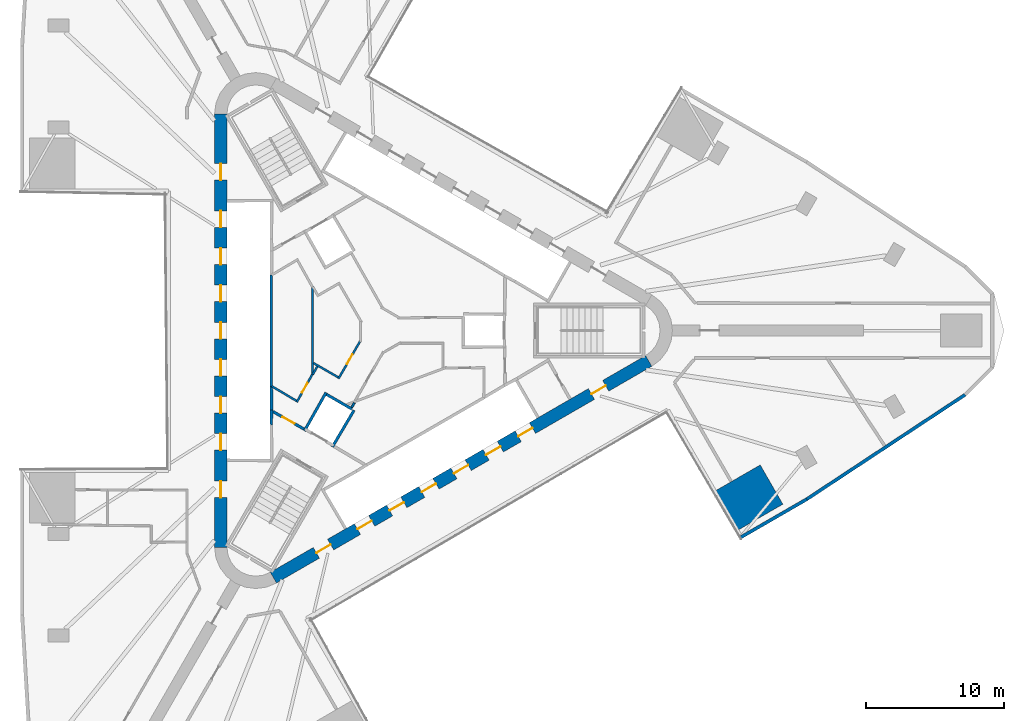
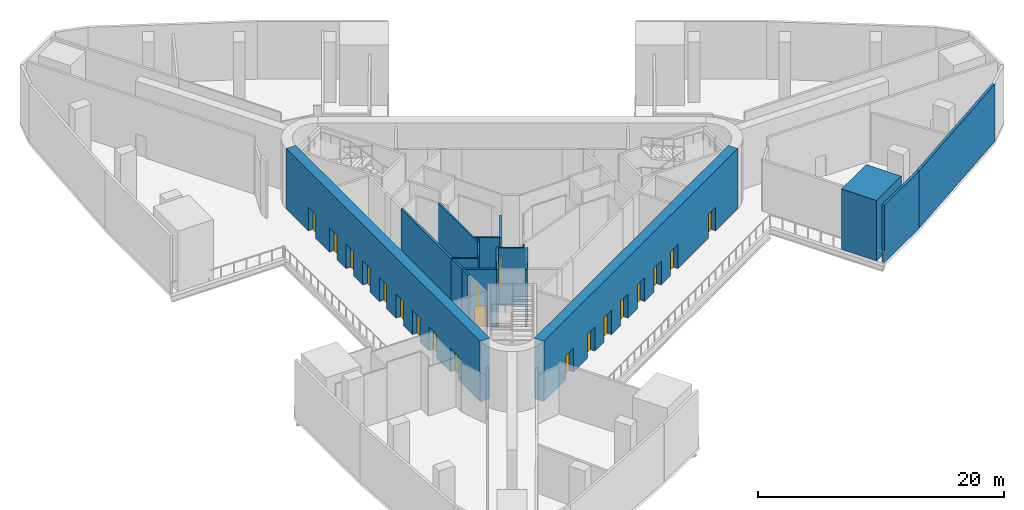
# One storey, part 4 of 11: 20 doors, 19 walls, 20 openings.
"""IFC4 building model written with IfcOpenShell, lengths in metres."""

from ifc_helpers import new_model, si_unit, direction, frame, frame_2d, origin, place, context, subcontext, project, spatial, polyline, rectangle, outline, extrude, material, layer, layer_set, type_object, element, fill, save


model = new_model("IFC4")

# Units and contexts
model_context = context("Model", 3, precision=1e-05, world=origin(), true_north=direction((0.0, 1.0)))
body_context = subcontext(model_context, "Body", "Model", "MODEL_VIEW")
ifc_project = project(units=[si_unit("LENGTHUNIT", "METRE"), si_unit("AREAUNIT", "SQUARE_METRE"), si_unit("VOLUMEUNIT", "CUBIC_METRE"), si_unit("PLANEANGLEUNIT", "RADIAN"), si_unit("MASSUNIT", "GRAM", prefix="KILO")], contexts=[model_context])

# Site, building, storey
site_placement = place(None, origin())
site = spatial("IfcSite", under=ifc_project, at=site_placement, CompositionType="ELEMENT")
building_placement = place(site_placement, origin())
building = spatial("IfcBuilding", under=site, at=building_placement, Name="Tanit Gate Tower", CompositionType="ELEMENT")
storey_placement = place(building_placement, frame((0.0, 0.0, 15.5)))
storey = spatial("IfcBuildingStorey", under=building, at=storey_placement, Name="L02", CompositionType="ELEMENT", Elevation=15.5)

# Wall, openings, doors
ifc_material_1 = material(Name="Concrete C60/75", Category="concrete")
ifc_layer_1 = layer(ifc_material_1, 0.89990234375)
ifc_layer_set_1 = layer_set([ifc_layer_1], Name="CORE WALL 900 C60/75")
wall_type_1 = type_object("IfcWallType", Name="CORE WALL 900 C60/75", PredefinedType="SHEAR", material=ifc_layer_set_1)
wall_1_placement = place(storey_placement, frame((-11.64990234375, 15.76171875, 0.0), z_axis=(0.0, 0.0, 1.0), x_axis=(0.0, -1.0, 0.0)))
wall_1 = element("IfcWall", 1, at=wall_1_placement, inside=storey, type_object=wall_type_1, Name="CORE WALL", PredefinedType="SHEAR", context=body_context, shape_type="SweptSolid", body=[
    extrude(rectangle(XDim=31.5234375, YDim=0.89990234375, at=frame_2d((15.76171875, 0.0))), origin(), (0.0, 0.0, 1.0), 6.0),
])
opening_1_placement = place(wall_1_placement, frame((7.061767578125, 0.0, 0.0)))
opening_1 = element("IfcOpeningElement", 2, at=opening_1_placement, cuts=wall_1, Name="Opening LDLL1-02", PredefinedType="OPENING", context=body_context, shape_type="SweptSolid", body=[
    extrude(rectangle(XDim=1.199951171875, YDim=2.39990234375, at=frame_2d((0.60009765625, 1.199951171875))), frame((0.0, 0.4599609375, 0.0), z_axis=(0.0, -1.0, 0.0), x_axis=(1.0, 0.0, 0.0)), (0.0, 0.0, 1.0), 0.919921875),
])
opening_2_placement = place(wall_1_placement, frame((9.76171875, 0.0, 0.0)))
opening_2 = element("IfcOpeningElement", 3, at=opening_2_placement, cuts=wall_1, Name="Opening LDLL2-02", PredefinedType="OPENING", context=body_context, shape_type="SweptSolid", body=[
    extrude(rectangle(XDim=1.199951171875, YDim=2.39990234375, at=frame_2d((0.60009765625, 1.199951171875))), frame((0.0, 0.4599609375, 0.0), z_axis=(0.0, -1.0, 0.0), x_axis=(1.0, 0.0, 0.0)), (0.0, 0.0, 1.0), 0.919921875),
])
opening_3_placement = place(wall_1_placement, frame((12.461669921875, 0.0, 0.0)))
opening_3 = element("IfcOpeningElement", 4, at=opening_3_placement, cuts=wall_1, Name="Opening LDLL3-02", PredefinedType="OPENING", context=body_context, shape_type="SweptSolid", body=[
    extrude(rectangle(XDim=1.199951171875, YDim=2.39990234375, at=frame_2d((0.60009765625, 1.199951171875))), frame((0.0, 0.4599609375, 0.0), z_axis=(0.0, -1.0, 0.0), x_axis=(1.0, 0.0, 0.0)), (0.0, 0.0, 1.0), 0.919921875),
])
opening_4_placement = place(wall_1_placement, frame((15.16162109375, 0.0, 0.0)))
opening_4 = element("IfcOpeningElement", 5, at=opening_4_placement, cuts=wall_1, Name="Opening LDLL4-02", PredefinedType="OPENING", context=body_context, shape_type="SweptSolid", body=[
    extrude(rectangle(XDim=1.199951171875, YDim=2.39990234375, at=frame_2d((0.60009765625, 1.199951171875))), frame((0.0, 0.4599609375, 0.0), z_axis=(0.0, -1.0, 0.0), x_axis=(1.0, 0.0, 0.0)), (0.0, 0.0, 1.0), 0.919921875),
])
opening_5_placement = place(wall_1_placement, frame((17.86181640625, 0.0, 0.0)))
opening_5 = element("IfcOpeningElement", 6, at=opening_5_placement, cuts=wall_1, Name="Opening LDLL5-02", PredefinedType="OPENING", context=body_context, shape_type="SweptSolid", body=[
    extrude(rectangle(XDim=1.199951171875, YDim=2.39990234375, at=frame_2d((0.60009765625, 1.199951171875))), frame((0.0, 0.4599609375, 0.0), z_axis=(0.0, -1.0, 0.0), x_axis=(1.0, 0.0, 0.0)), (0.0, 0.0, 1.0), 0.919921875),
])
opening_6_placement = place(wall_1_placement, frame((20.561767578125, 0.0, 0.0)))
opening_6 = element("IfcOpeningElement", 7, at=opening_6_placement, cuts=wall_1, Name="Opening LDLL6-02", PredefinedType="OPENING", context=body_context, shape_type="SweptSolid", body=[
    extrude(rectangle(XDim=1.199951171875, YDim=2.39990234375, at=frame_2d((0.60009765625, 1.199951171875))), frame((0.0, 0.4599609375, 0.0), z_axis=(0.0, -1.0, 0.0), x_axis=(1.0, 0.0, 0.0)), (0.0, 0.0, 1.0), 0.919921875),
])
opening_7_placement = place(wall_1_placement, frame((23.26171875, 0.0, 0.0)))
opening_7 = element("IfcOpeningElement", 8, at=opening_7_placement, cuts=wall_1, Name="Opening LDLL7-02", PredefinedType="OPENING", context=body_context, shape_type="SweptSolid", body=[
    extrude(rectangle(XDim=1.199951171875, YDim=2.39990234375, at=frame_2d((0.60009765625, 1.199951171875))), frame((0.0, 0.4599609375, 0.0), z_axis=(0.0, -1.0, 0.0), x_axis=(1.0, 0.0, 0.0)), (0.0, 0.0, 1.0), 0.919921875),
])
opening_8_placement = place(wall_1_placement, frame((3.61181640625, 0.0, 0.0)))
opening_8 = element("IfcOpeningElement", 9, at=opening_8_placement, cuts=wall_1, Name="Opening F12-02-FL2", PredefinedType="OPENING", context=body_context, shape_type="SweptSolid", body=[
    extrude(rectangle(XDim=1.199951171875, YDim=2.39990234375, at=frame_2d((0.60009765625, 1.199951171875))), frame((0.0, 0.4599609375, 0.0), z_axis=(0.0, -1.0, 0.0), x_axis=(1.0, 0.0, 0.0)), (0.0, 0.0, 1.0), 0.919921875),
])
opening_9_placement = place(wall_1_placement, frame((26.711669921875, 0.0, 0.0)))
opening_9 = element("IfcOpeningElement", 10, at=opening_9_placement, cuts=wall_1, Name="Opening F12-02-S3", PredefinedType="OPENING", context=body_context, shape_type="SweptSolid", body=[
    extrude(rectangle(XDim=1.199951171875, YDim=2.39990234375, at=frame_2d((0.60009765625, 1.199951171875))), frame((0.0, 0.4599609375, 0.0), z_axis=(0.0, -1.0, 0.0), x_axis=(1.0, 0.0, 0.0)), (0.0, 0.0, 1.0), 0.919921875),
])
ifc_material_2 = material(Name="Fire-rated steel door leaf", Category="steel")
door_type_1 = type_object("IfcDoorType", Name="INT-DOOR-FIRE-LOBBY-1200", OperationType="NOTDEFINED", PredefinedType="USERDEFINED", material=ifc_material_2)
door_1_placement = place(opening_8_placement, origin())
door_1 = element("IfcDoor", 11, at=door_1_placement, inside=storey, type_object=door_type_1, Name="Door F12-02-FL2", ObjectType="FIRE DOOR", OperationType="SINGLE_SWING_RIGHT", OverallHeight=2.39990234375, OverallWidth=1.199951171875, PredefinedType="USERDEFINED", context=body_context, shape_type="SweptSolid", body=[
    extrude(rectangle(XDim=1.199951171875, YDim=2.39990234375, at=frame_2d((0.60009765625, 1.199951171875))), frame((0.0, 0.02490234375, 0.0), z_axis=(0.0, -1.0, 0.0), x_axis=(1.0, 0.0, 0.0)), (0.0, 0.0, 1.0), 0.050048828125),
])
fill(opening_8, door_1)
door_2_placement = place(opening_9_placement, origin())
door_2 = element("IfcDoor", 12, at=door_2_placement, inside=storey, type_object=door_type_1, Name="Door F12-02-S3", ObjectType="FIRE DOOR", OperationType="SINGLE_SWING_RIGHT", OverallHeight=2.39990234375, OverallWidth=1.199951171875, PredefinedType="USERDEFINED", context=body_context, shape_type="SweptSolid", body=[
    extrude(rectangle(XDim=1.199951171875, YDim=2.39990234375, at=frame_2d((0.60009765625, 1.199951171875))), frame((0.0, 0.02490234375, 0.0), z_axis=(0.0, -1.0, 0.0), x_axis=(1.0, 0.0, 0.0)), (0.0, 0.0, 1.0), 0.050048828125),
])
fill(opening_9, door_2)
ifc_material_3 = material(Name="Stainless steel sliding door leaf", Category="steel")
door_type_2 = type_object("IfcDoorType", Name="INT-DOOR-LANDING-1200", OperationType="NOTDEFINED", PredefinedType="USERDEFINED", material=ifc_material_3)
door_3_placement = place(opening_1_placement, origin())
door_3 = element("IfcDoor", 13, at=door_3_placement, inside=storey, type_object=door_type_2, Name="Door LDLL1-02", ObjectType="LANDING DOOR", OperationType="SLIDING_TO_LEFT", OverallHeight=2.39990234375, OverallWidth=1.199951171875, PredefinedType="USERDEFINED", context=body_context, shape_type="SweptSolid", body=[
    extrude(rectangle(XDim=1.199951171875, YDim=2.39990234375, at=frame_2d((0.60009765625, 1.199951171875))), frame((0.0, 0.02490234375, 0.0), z_axis=(0.0, -1.0, 0.0), x_axis=(1.0, 0.0, 0.0)), (0.0, 0.0, 1.0), 0.050048828125),
])
fill(opening_1, door_3)
door_4_placement = place(opening_2_placement, origin())
door_4 = element("IfcDoor", 14, at=door_4_placement, inside=storey, type_object=door_type_2, Name="Door LDLL2-02", ObjectType="LANDING DOOR", OperationType="SLIDING_TO_LEFT", OverallHeight=2.39990234375, OverallWidth=1.199951171875, PredefinedType="USERDEFINED", context=body_context, shape_type="SweptSolid", body=[
    extrude(rectangle(XDim=1.199951171875, YDim=2.39990234375, at=frame_2d((0.60009765625, 1.199951171875))), frame((0.0, 0.02490234375, 0.0), z_axis=(0.0, -1.0, 0.0), x_axis=(1.0, 0.0, 0.0)), (0.0, 0.0, 1.0), 0.050048828125),
])
fill(opening_2, door_4)
door_5_placement = place(opening_3_placement, origin())
door_5 = element("IfcDoor", 15, at=door_5_placement, inside=storey, type_object=door_type_2, Name="Door LDLL3-02", ObjectType="LANDING DOOR", OperationType="SLIDING_TO_LEFT", OverallHeight=2.39990234375, OverallWidth=1.199951171875, PredefinedType="USERDEFINED", context=body_context, shape_type="SweptSolid", body=[
    extrude(rectangle(XDim=1.199951171875, YDim=2.39990234375, at=frame_2d((0.60009765625, 1.199951171875))), frame((0.0, 0.02490234375, 0.0), z_axis=(0.0, -1.0, 0.0), x_axis=(1.0, 0.0, 0.0)), (0.0, 0.0, 1.0), 0.050048828125),
])
fill(opening_3, door_5)
door_6_placement = place(opening_4_placement, origin())
door_6 = element("IfcDoor", 16, at=door_6_placement, inside=storey, type_object=door_type_2, Name="Door LDLL4-02", ObjectType="LANDING DOOR", OperationType="SLIDING_TO_LEFT", OverallHeight=2.39990234375, OverallWidth=1.199951171875, PredefinedType="USERDEFINED", context=body_context, shape_type="SweptSolid", body=[
    extrude(rectangle(XDim=1.199951171875, YDim=2.39990234375, at=frame_2d((0.60009765625, 1.199951171875))), frame((0.0, 0.02490234375, 0.0), z_axis=(0.0, -1.0, 0.0), x_axis=(1.0, 0.0, 0.0)), (0.0, 0.0, 1.0), 0.050048828125),
])
fill(opening_4, door_6)
door_7_placement = place(opening_5_placement, origin())
door_7 = element("IfcDoor", 17, at=door_7_placement, inside=storey, type_object=door_type_2, Name="Door LDLL5-02", ObjectType="LANDING DOOR", OperationType="SLIDING_TO_LEFT", OverallHeight=2.39990234375, OverallWidth=1.199951171875, PredefinedType="USERDEFINED", context=body_context, shape_type="SweptSolid", body=[
    extrude(rectangle(XDim=1.199951171875, YDim=2.39990234375, at=frame_2d((0.60009765625, 1.199951171875))), frame((0.0, 0.02490234375, 0.0), z_axis=(0.0, -1.0, 0.0), x_axis=(1.0, 0.0, 0.0)), (0.0, 0.0, 1.0), 0.050048828125),
])
fill(opening_5, door_7)
door_8_placement = place(opening_6_placement, origin())
door_8 = element("IfcDoor", 18, at=door_8_placement, inside=storey, type_object=door_type_2, Name="Door LDLL6-02", ObjectType="LANDING DOOR", OperationType="SLIDING_TO_LEFT", OverallHeight=2.39990234375, OverallWidth=1.199951171875, PredefinedType="USERDEFINED", context=body_context, shape_type="SweptSolid", body=[
    extrude(rectangle(XDim=1.199951171875, YDim=2.39990234375, at=frame_2d((0.60009765625, 1.199951171875))), frame((0.0, 0.02490234375, 0.0), z_axis=(0.0, -1.0, 0.0), x_axis=(1.0, 0.0, 0.0)), (0.0, 0.0, 1.0), 0.050048828125),
])
fill(opening_6, door_8)
door_9_placement = place(opening_7_placement, origin())
door_9 = element("IfcDoor", 19, at=door_9_placement, inside=storey, type_object=door_type_2, Name="Door LDLL7-02", ObjectType="LANDING DOOR", OperationType="SLIDING_TO_LEFT", OverallHeight=2.39990234375, OverallWidth=1.199951171875, PredefinedType="USERDEFINED", context=body_context, shape_type="SweptSolid", body=[
    extrude(rectangle(XDim=1.199951171875, YDim=2.39990234375, at=frame_2d((0.60009765625, 1.199951171875))), frame((0.0, 0.02490234375, 0.0), z_axis=(0.0, -1.0, 0.0), x_axis=(1.0, 0.0, 0.0)), (0.0, 0.0, 1.0), 0.050048828125),
])
fill(opening_7, door_9)

wall_2_placement = place(storey_placement, frame((-7.824951171875, -17.969970703125, 0.0), z_axis=(0.0, 0.0, 1.0), x_axis=(0.866028369851, 0.499994862586, 0.0)))
wall_2 = element("IfcWall", 20, at=wall_2_placement, inside=storey, type_object=wall_type_1, Name="CORE WALL", PredefinedType="SHEAR", context=body_context, shape_type="SweptSolid", body=[
    extrude(rectangle(XDim=31.523193359375, YDim=0.89990234375, at=frame_2d((15.76171875, 0.0))), origin(), (0.0, 0.0, 1.0), 6.0),
])
opening_10_placement = place(wall_2_placement, frame((7.061767578125, 0.0, 0.0)))
opening_10 = element("IfcOpeningElement", 21, at=opening_10_placement, cuts=wall_2, Name="Opening LDSX1-02", PredefinedType="OPENING", context=body_context, shape_type="SweptSolid", body=[
    extrude(rectangle(XDim=1.199951171875, YDim=2.39990234375, at=frame_2d((0.60009765625, 1.199951171875))), frame((0.0, 0.4599609375, 0.0), z_axis=(0.0, -1.0, 0.0), x_axis=(1.0, 0.0, 0.0)), (0.0, 0.0, 1.0), 0.919921875),
])
opening_11_placement = place(wall_2_placement, frame((9.76171875, 0.0, 0.0)))
opening_11 = element("IfcOpeningElement", 22, at=opening_11_placement, cuts=wall_2, Name="Opening LDSX2-02", PredefinedType="OPENING", context=body_context, shape_type="SweptSolid", body=[
    extrude(rectangle(XDim=1.199951171875, YDim=2.39990234375, at=frame_2d((0.60009765625, 1.199951171875))), frame((0.0, 0.4599609375, 0.0), z_axis=(0.0, -1.0, 0.0), x_axis=(1.0, 0.0, 0.0)), (0.0, 0.0, 1.0), 0.919921875),
])
opening_12_placement = place(wall_2_placement, frame((12.461669921875, 0.0, 0.0)))
opening_12 = element("IfcOpeningElement", 23, at=opening_12_placement, cuts=wall_2, Name="Opening LDSX3-02", PredefinedType="OPENING", context=body_context, shape_type="SweptSolid", body=[
    extrude(rectangle(XDim=1.199951171875, YDim=2.39990234375, at=frame_2d((0.60009765625, 1.199951171875))), frame((0.0, 0.4599609375, 0.0), z_axis=(0.0, -1.0, 0.0), x_axis=(1.0, 0.0, 0.0)), (0.0, 0.0, 1.0), 0.919921875),
])
opening_13_placement = place(wall_2_placement, frame((15.16162109375, 0.0, 0.0)))
opening_13 = element("IfcOpeningElement", 24, at=opening_13_placement, cuts=wall_2, Name="Opening LDSX4-02", PredefinedType="OPENING", context=body_context, shape_type="SweptSolid", body=[
    extrude(rectangle(XDim=1.199951171875, YDim=2.39990234375, at=frame_2d((0.60009765625, 1.199951171875))), frame((0.0, 0.4599609375, 0.0), z_axis=(0.0, -1.0, 0.0), x_axis=(1.0, 0.0, 0.0)), (0.0, 0.0, 1.0), 0.919921875),
])
opening_14_placement = place(wall_2_placement, frame((17.861572265625, 0.0, 0.0)))
opening_14 = element("IfcOpeningElement", 25, at=opening_14_placement, cuts=wall_2, Name="Opening LDSV1-02", PredefinedType="OPENING", context=body_context, shape_type="SweptSolid", body=[
    extrude(rectangle(XDim=1.199951171875, YDim=2.39990234375, at=frame_2d((0.60009765625, 1.199951171875))), frame((0.0, 0.4599609375, 0.0), z_axis=(0.0, -1.0, 0.0), x_axis=(1.0, 0.0, 0.0)), (0.0, 0.0, 1.0), 0.919921875),
])
opening_15_placement = place(wall_2_placement, frame((20.561767578125, 0.0, 0.0)))
opening_15 = element("IfcOpeningElement", 26, at=opening_15_placement, cuts=wall_2, Name="Opening LDSV2-02", PredefinedType="OPENING", context=body_context, shape_type="SweptSolid", body=[
    extrude(rectangle(XDim=1.199951171875, YDim=2.39990234375, at=frame_2d((0.60009765625, 1.199951171875))), frame((0.0, 0.4599609375, 0.0), z_axis=(0.0, -1.0, 0.0), x_axis=(1.0, 0.0, 0.0)), (0.0, 0.0, 1.0), 0.919921875),
])
opening_16_placement = place(wall_2_placement, frame((26.711669921875, 0.0, 0.0)))
opening_16 = element("IfcOpeningElement", 27, at=opening_16_placement, cuts=wall_2, Name="Opening F12-02-S1", PredefinedType="OPENING", context=body_context, shape_type="SweptSolid", body=[
    extrude(rectangle(XDim=1.199951171875, YDim=2.39990234375, at=frame_2d((0.60009765625, 1.199951171875))), frame((0.0, 0.4599609375, 0.0), z_axis=(0.0, -1.0, 0.0), x_axis=(1.0, 0.0, 0.0)), (0.0, 0.0, 1.0), 0.919921875),
])
opening_17_placement = place(wall_2_placement, frame((3.611572265625, 0.0, 0.0)))
opening_17 = element("IfcOpeningElement", 28, at=opening_17_placement, cuts=wall_2, Name="Opening F12-02-FL3", PredefinedType="OPENING", context=body_context, shape_type="SweptSolid", body=[
    extrude(rectangle(XDim=1.199951171875, YDim=2.39990234375, at=frame_2d((0.60009765625, 1.199951171875))), frame((0.0, 0.4599609375, 0.0), z_axis=(0.0, -1.0, 0.0), x_axis=(1.0, 0.0, 0.0)), (0.0, 0.0, 1.0), 0.919921875),
])
door_10_placement = place(opening_16_placement, origin())
door_10 = element("IfcDoor", 29, at=door_10_placement, inside=storey, type_object=door_type_1, Name="Door F12-02-S1", ObjectType="FIRE DOOR", OperationType="SINGLE_SWING_RIGHT", OverallHeight=2.39990234375, OverallWidth=1.199951171875, PredefinedType="USERDEFINED", context=body_context, shape_type="SweptSolid", body=[
    extrude(rectangle(XDim=1.199951171875, YDim=2.39990234375, at=frame_2d((0.60009765625, 1.199951171875))), frame((0.0, 0.02490234375, 0.0), z_axis=(0.0, -1.0, 0.0), x_axis=(1.0, 0.0, 0.0)), (0.0, 0.0, 1.0), 0.050048828125),
])
fill(opening_16, door_10)
door_11_placement = place(opening_17_placement, origin())
door_11 = element("IfcDoor", 30, at=door_11_placement, inside=storey, type_object=door_type_1, Name="Door F12-02-FL3", ObjectType="FIRE DOOR", OperationType="SINGLE_SWING_LEFT", OverallHeight=2.39990234375, OverallWidth=1.199951171875, PredefinedType="USERDEFINED", context=body_context, shape_type="SweptSolid", body=[
    extrude(rectangle(XDim=1.199951171875, YDim=2.39990234375, at=frame_2d((0.60009765625, 1.199951171875))), frame((0.0, 0.02490234375, 0.0), z_axis=(0.0, -1.0, 0.0), x_axis=(1.0, 0.0, 0.0)), (0.0, 0.0, 1.0), 0.050048828125),
])
fill(opening_17, door_11)
door_12_placement = place(opening_10_placement, origin())
door_12 = element("IfcDoor", 31, at=door_12_placement, inside=storey, type_object=door_type_2, Name="Door LDSX1-02", ObjectType="LANDING DOOR", OperationType="SLIDING_TO_LEFT", OverallHeight=2.39990234375, OverallWidth=1.199951171875, PredefinedType="USERDEFINED", context=body_context, shape_type="SweptSolid", body=[
    extrude(rectangle(XDim=1.199951171875, YDim=2.39990234375, at=frame_2d((0.60009765625, 1.199951171875))), frame((0.0, 0.02490234375, 0.0), z_axis=(0.0, -1.0, 0.0), x_axis=(1.0, 0.0, 0.0)), (0.0, 0.0, 1.0), 0.050048828125),
])
fill(opening_10, door_12)
door_13_placement = place(opening_11_placement, origin())
door_13 = element("IfcDoor", 32, at=door_13_placement, inside=storey, type_object=door_type_2, Name="Door LDSX2-02", ObjectType="LANDING DOOR", OperationType="SLIDING_TO_LEFT", OverallHeight=2.39990234375, OverallWidth=1.199951171875, PredefinedType="USERDEFINED", context=body_context, shape_type="SweptSolid", body=[
    extrude(rectangle(XDim=1.199951171875, YDim=2.39990234375, at=frame_2d((0.60009765625, 1.199951171875))), frame((0.0, 0.02490234375, 0.0), z_axis=(0.0, -1.0, 0.0), x_axis=(1.0, 0.0, 0.0)), (0.0, 0.0, 1.0), 0.050048828125),
])
fill(opening_11, door_13)
door_14_placement = place(opening_12_placement, origin())
door_14 = element("IfcDoor", 33, at=door_14_placement, inside=storey, type_object=door_type_2, Name="Door LDSX3-02", ObjectType="LANDING DOOR", OperationType="SLIDING_TO_LEFT", OverallHeight=2.39990234375, OverallWidth=1.199951171875, PredefinedType="USERDEFINED", context=body_context, shape_type="SweptSolid", body=[
    extrude(rectangle(XDim=1.199951171875, YDim=2.39990234375, at=frame_2d((0.60009765625, 1.199951171875))), frame((0.0, 0.02490234375, 0.0), z_axis=(0.0, -1.0, 0.0), x_axis=(1.0, 0.0, 0.0)), (0.0, 0.0, 1.0), 0.050048828125),
])
fill(opening_12, door_14)
door_15_placement = place(opening_13_placement, origin())
door_15 = element("IfcDoor", 34, at=door_15_placement, inside=storey, type_object=door_type_2, Name="Door LDSX4-02", ObjectType="LANDING DOOR", OperationType="SLIDING_TO_LEFT", OverallHeight=2.39990234375, OverallWidth=1.199951171875, PredefinedType="USERDEFINED", context=body_context, shape_type="SweptSolid", body=[
    extrude(rectangle(XDim=1.199951171875, YDim=2.39990234375, at=frame_2d((0.60009765625, 1.199951171875))), frame((0.0, 0.02490234375, 0.0), z_axis=(0.0, -1.0, 0.0), x_axis=(1.0, 0.0, 0.0)), (0.0, 0.0, 1.0), 0.050048828125),
])
fill(opening_13, door_15)
door_16_placement = place(opening_14_placement, origin())
door_16 = element("IfcDoor", 35, at=door_16_placement, inside=storey, type_object=door_type_2, Name="Door LDSV1-02", ObjectType="LANDING DOOR", OperationType="SLIDING_TO_LEFT", OverallHeight=2.39990234375, OverallWidth=1.199951171875, PredefinedType="USERDEFINED", context=body_context, shape_type="SweptSolid", body=[
    extrude(rectangle(XDim=1.199951171875, YDim=2.39990234375, at=frame_2d((0.60009765625, 1.199951171875))), frame((0.0, 0.02490234375, 0.0), z_axis=(0.0, -1.0, 0.0), x_axis=(1.0, 0.0, 0.0)), (0.0, 0.0, 1.0), 0.050048828125),
])
fill(opening_14, door_16)
door_17_placement = place(opening_15_placement, origin())
door_17 = element("IfcDoor", 36, at=door_17_placement, inside=storey, type_object=door_type_2, Name="Door LDSV2-02", ObjectType="LANDING DOOR", OperationType="SLIDING_TO_LEFT", OverallHeight=2.39990234375, OverallWidth=1.199951171875, PredefinedType="USERDEFINED", context=body_context, shape_type="SweptSolid", body=[
    extrude(rectangle(XDim=1.199951171875, YDim=2.39990234375, at=frame_2d((0.60009765625, 1.199951171875))), frame((0.0, 0.02490234375, 0.0), z_axis=(0.0, -1.0, 0.0), x_axis=(1.0, 0.0, 0.0)), (0.0, 0.0, 1.0), 0.050048828125),
])
fill(opening_15, door_17)

# Walls
ifc_material_4 = material(Name="Concrete C30/37 with bronze anodised aluminium cladding", Category="concrete")
ifc_layer_2 = layer(ifc_material_4, 0.239990234375)
ifc_layer_set_2 = layer_set([ifc_layer_2], Name="Facade wall bronze clad 240")
wall_type_2 = type_object("IfcWallType", Name="Facade wall bronze clad 240", PredefinedType="SOLIDWALL", material=ifc_layer_set_2)
wall_3_placement = place(storey_placement, frame((26.1474609375, -15.0498046875, 0.0), z_axis=(0.0, 0.0, 1.0), x_axis=(0.865999312459, 0.500045188778, 0.0)))
element("IfcWall", 37, at=wall_3_placement, inside=storey, type_object=wall_type_2, Name="Bronze-clad facade wall L02 SE2b", PredefinedType="SOLIDWALL", context=body_context, shape_type="SweptSolid", body=[
    extrude(rectangle(XDim=5.56591796875, YDim=0.239990234375, at=frame_2d((2.782958984375, 0.0))), origin(), (0.0, 0.0, 1.0), 5.699951171875),
])
wall_4_placement = place(storey_placement, frame((30.967529296875, -12.2666015625, 0.0), z_axis=(0.0, 0.0, 1.0), x_axis=(0.834683405501, 0.550730072342, 0.0)))
element("IfcWall", 38, at=wall_4_placement, inside=storey, type_object=wall_type_2, Name="Bronze-clad facade wall L02 SE3", PredefinedType="SOLIDWALL", context=body_context, shape_type="SweptSolid", body=[
    extrude(rectangle(XDim=13.80126953125, YDim=0.239990234375, at=frame_2d((6.900634765625, 0.0))), origin(), (0.0, 0.0, 1.0), 5.699951171875),
])

# Wall, opening, door
ifc_material_5 = material(Name="Fire-rated gypsum board partition")
ifc_layer_3 = layer(ifc_material_5, 0.199951171875)
ifc_layer_set_3 = layer_set([ifc_layer_3], Name="INT-WALL-COMPARTMENT")
wall_type_3 = type_object("IfcWallType", Name="INT-WALL-COMPARTMENT", PredefinedType="PARTITIONING", material=ifc_layer_set_3)
wall_5_placement = place(storey_placement, frame((-7.849365234375, -5.893798828125, 0.0), z_axis=(0.0, 0.0, 1.0), x_axis=(0.871363259478, -0.490638431059, 0.0)))
wall_5 = element("IfcWall", 39, at=wall_5_placement, inside=storey, type_object=wall_type_3, Name="Wall Compartment W067", PredefinedType="PARTITIONING", context=body_context, shape_type="SweptSolid", body=[
    extrude(rectangle(XDim=2.5810546875, YDim=0.199951171875, at=frame_2d((1.29052734375, 0.0))), origin(), (0.0, 0.0, 1.0), 5.699951171875),
])
opening_18_placement = place(wall_5_placement, frame((0.79052734375, 0.0, 0.0)))
opening_18 = element("IfcOpeningElement", 40, at=opening_18_placement, cuts=wall_5, Name="Opening F10-02-08", PredefinedType="OPENING", context=body_context, shape_type="SweptSolid", body=[
    extrude(rectangle(XDim=1.0, YDim=2.10009765625, at=frame_2d((0.5, 1.050048828125))), frame((0.0, 0.10986328125, 0.0), z_axis=(0.0, -1.0, 0.0), x_axis=(1.0, 0.0, 0.0)), (0.0, 0.0, 1.0), 0.219970703125),
])
ifc_material_6 = material(Name="Fire-rated steel door leaf", Category="steel")
door_type_3 = type_object("IfcDoorType", Name="INT-DOOR-FIRE-1000", OperationType="NOTDEFINED", PredefinedType="USERDEFINED", material=ifc_material_6)
door_18_placement = place(opening_18_placement, origin())
door_18 = element("IfcDoor", 41, at=door_18_placement, inside=storey, type_object=door_type_3, Name="Door F10-02-08", ObjectType="FIRE DOOR", OperationType="SINGLE_SWING_LEFT", OverallHeight=2.10009765625, OverallWidth=1.0, PredefinedType="USERDEFINED", context=body_context, shape_type="SweptSolid", body=[
    extrude(rectangle(XDim=1.0, YDim=2.10009765625, at=frame_2d((0.5, 1.050048828125))), frame((0.0, 0.02490234375, 0.0), z_axis=(0.0, -1.0, 0.0), x_axis=(1.0, 0.0, 0.0)), (0.0, 0.0, 1.0), 0.050048828125),
])
fill(opening_18, door_18)

# Walls
ifc_material_7 = material(Name="Fire-rated gypsum board partition")
ifc_layer_4 = layer(ifc_material_7, 0.14990234375)
ifc_layer_set_4 = layer_set([ifc_layer_4], Name="INT-WALL-RISER")
wall_type_4 = type_object("IfcWallType", Name="INT-WALL-RISER", PredefinedType="PLUMBINGWALL", material=ifc_layer_set_4)
wall_6_placement = place(storey_placement, frame((-1.93212890625, -5.255615234375, 0.0), z_axis=(0.0, 0.0, 1.0), x_axis=(-0.499777709171, -0.866153705422, 0.0)))
element("IfcWall", 42, at=wall_6_placement, inside=storey, type_object=wall_type_4, Name="Wall Riser W076", PredefinedType="PLUMBINGWALL", context=body_context, shape_type="SweptSolid", body=[
    extrude(rectangle(XDim=0.382568359375, YDim=0.14990234375, at=frame_2d((0.19140625, 0.0))), origin(), (0.0, 0.0, 1.0), 5.699951171875),
])
wall_7_placement = place(storey_placement, frame((-4.985107421875, -3.234619140625, 0.0), z_axis=(0.0, 0.0, 1.0), x_axis=(0.0, 1.0, 0.0)))
element("IfcWall", 43, at=wall_7_placement, inside=storey, type_object=wall_type_4, Name="Wall Riser W079", PredefinedType="PLUMBINGWALL", context=body_context, shape_type="SweptSolid", body=[
    extrude(rectangle(XDim=6.46923828125, YDim=0.14990234375, at=frame_2d((3.234619140625, 0.0))), origin(), (0.0, 0.0, 1.0), 5.699951171875),
])

# Wall, opening, door
wall_8_placement = place(storey_placement, frame((-6.125, -5.210693359375, 0.0), z_axis=(0.0, 0.0, 1.0), x_axis=(0.488762436737, 0.87241691893, 0.0)))
wall_8 = element("IfcWall", 44, at=wall_8_placement, inside=storey, type_object=wall_type_4, Name="Wall Riser W080", PredefinedType="PLUMBINGWALL", context=body_context, shape_type="SweptSolid", body=[
    extrude(rectangle(XDim=2.336669921875, YDim=0.14990234375, at=frame_2d((1.16845703125, 0.0))), origin(), (0.0, 0.0, 1.0), 5.699951171875),
])
opening_19_placement = place(wall_8_placement, frame((0.805908203125, 0.0, 0.0)))
opening_19 = element("IfcOpeningElement", 45, at=opening_19_placement, cuts=wall_8, Name="Opening R08-02-13", PredefinedType="OPENING", context=body_context, shape_type="SweptSolid", body=[
    extrude(rectangle(XDim=0.800048828125, YDim=2.10009765625, at=frame_2d((0.39990234375, 1.050048828125))), frame((0.0, 0.0849609375, 0.0), z_axis=(0.0, -1.0, 0.0), x_axis=(1.0, 0.0, 0.0)), (0.0, 0.0, 1.0), 0.169921875),
])
ifc_material_8 = material(Name="Timber door leaf", Category="wood")
door_type_4 = type_object("IfcDoorType", Name="INT-DOOR-RISER-800", OperationType="NOTDEFINED", PredefinedType="USERDEFINED", material=ifc_material_8)
door_19_placement = place(opening_19_placement, origin())
door_19 = element("IfcDoor", 46, at=door_19_placement, inside=storey, type_object=door_type_4, Name="Door R08-02-13", ObjectType="FIRE DOOR", OperationType="SINGLE_SWING_LEFT", OverallHeight=2.10009765625, OverallWidth=0.800048828125, PredefinedType="USERDEFINED", context=body_context, shape_type="SweptSolid", body=[
    extrude(rectangle(XDim=0.800048828125, YDim=2.10009765625, at=frame_2d((0.39990234375, 1.050048828125))), frame((0.0, 0.02490234375, 0.0), z_axis=(0.0, -1.0, 0.0), x_axis=(1.0, 0.0, 0.0)), (0.0, 0.0, 1.0), 0.050048828125),
])
fill(opening_19, door_19)

# Wall
wall_9_placement = place(storey_placement, frame((-7.949951171875, -4.041015625, 0.0), z_axis=(0.0, 0.0, 1.0), x_axis=(0.860090281069, -0.510141851263, 0.0)))
element("IfcWall", 47, at=wall_9_placement, inside=storey, type_object=wall_type_4, Name="Wall Riser W081", PredefinedType="PLUMBINGWALL", context=body_context, shape_type="SweptSolid", body=[
    extrude(rectangle(XDim=2.08935546875, YDim=0.14990234375, at=frame_2d((1.044677734375, 0.0))), origin(), (0.0, 0.0, 1.0), 5.699951171875),
])

# Wall, opening, door
wall_10_placement = place(storey_placement, frame((-3.088623046875, -3.49951171875, 0.0), z_axis=(0.0, 0.0, 1.0), x_axis=(0.500025362525, 0.866010760229, 0.0)))
wall_10 = element("IfcWall", 48, at=wall_10_placement, inside=storey, type_object=wall_type_4, Name="Wall Riser W088", PredefinedType="PLUMBINGWALL", context=body_context, shape_type="SweptSolid", body=[
    extrude(rectangle(XDim=3.209228515625, YDim=0.14990234375, at=frame_2d((1.6044921875, 0.0))), origin(), (0.0, 0.0, 1.0), 5.699951171875),
])
opening_20_placement = place(wall_10_placement, frame((1.2421875, 0.0, 0.0)))
opening_20 = element("IfcOpeningElement", 49, at=opening_20_placement, cuts=wall_10, Name="Opening R08-02-14", PredefinedType="OPENING", context=body_context, shape_type="SweptSolid", body=[
    extrude(rectangle(XDim=0.800048828125, YDim=2.10009765625, at=frame_2d((0.39990234375, 1.050048828125))), frame((0.0, 0.0849609375, 0.0), z_axis=(0.0, -1.0, 0.0), x_axis=(1.0, 0.0, 0.0)), (0.0, 0.0, 1.0), 0.169921875),
])
door_20_placement = place(opening_20_placement, origin())
door_20 = element("IfcDoor", 50, at=door_20_placement, inside=storey, type_object=door_type_4, Name="Door R08-02-14", ObjectType="FIRE DOOR", OperationType="SINGLE_SWING_RIGHT", OverallHeight=2.10009765625, OverallWidth=0.800048828125, PredefinedType="USERDEFINED", context=body_context, shape_type="SweptSolid", body=[
    extrude(rectangle(XDim=0.800048828125, YDim=2.10009765625, at=frame_2d((0.39990234375, 1.050048828125))), frame((0.0, 0.02490234375, 0.0), z_axis=(0.0, -1.0, 0.0), x_axis=(1.0, 0.0, 0.0)), (0.0, 0.0, 1.0), 0.050048828125),
])
fill(opening_20, door_20)

# Walls
wall_11_placement = place(storey_placement, frame((-4.91015625, -2.361328125, 0.0), z_axis=(0.0, 0.0, 1.0), x_axis=(0.866022705876, -0.500004672885, 0.0)))
element("IfcWall", 51, at=wall_11_placement, inside=storey, type_object=wall_type_4, Name="Wall Riser W089", PredefinedType="PLUMBINGWALL", context=body_context, shape_type="SweptSolid", body=[
    extrude(rectangle(XDim=2.07177734375, YDim=0.14990234375, at=frame_2d((1.035888671875, 0.0))), origin(), (0.0, 0.0, 1.0), 5.699951171875),
])
wall_12_placement = place(storey_placement, frame((-4.957275390625, -3.1865234375, 0.0), z_axis=(0.0, 0.0, 1.0), x_axis=(0.499860530385, 0.866105911632, 0.0)))
element("IfcWall", 52, at=wall_12_placement, inside=storey, type_object=wall_type_4, Name="Wall Riser W090", PredefinedType="PLUMBINGWALL", context=body_context, shape_type="SweptSolid", body=[
    extrude(rectangle(XDim=0.663330078125, YDim=0.14990234375, at=frame_2d((0.33154296875, 0.0))), origin(), (0.0, 0.0, 1.0), 5.699951171875),
])
ifc_material_9 = material(Name="Gypsum shaft wall system")
ifc_layer_5 = layer(ifc_material_9, 0.199951171875)
ifc_layer_set_5 = layer_set([ifc_layer_5], Name="INT-WALL-SHAFT")
wall_type_5 = type_object("IfcWallType", Name="INT-WALL-SHAFT", PredefinedType="PLUMBINGWALL", material=ifc_layer_set_5)
wall_13_placement = place(storey_placement, frame((-7.97998046875, 4.050048828125, 0.0), z_axis=(0.0, 0.0, 1.0), x_axis=(0.0, -1.0, 0.0)))
element("IfcWall", 53, at=wall_13_placement, inside=storey, type_object=wall_type_5, Name="Wall Shaft W006", PredefinedType="PLUMBINGWALL", context=body_context, shape_type="SweptSolid", body=[
    extrude(rectangle(XDim=8.10009765625, YDim=0.199951171875, at=frame_2d((4.050048828125, 0.0))), origin(), (0.0, 0.0, 1.0), 5.699951171875),
])
wall_14_placement = place(storey_placement, frame((-7.949951171875, -5.7724609375, 0.0), z_axis=(0.0, 0.0, 1.0), x_axis=(-0.030803413295, -0.999525462272, 0.0)))
element("IfcWall", 54, at=wall_14_placement, inside=storey, type_object=wall_type_5, Name="Wall Shaft W009", PredefinedType="PLUMBINGWALL", context=body_context, shape_type="SweptSolid", body=[
    extrude(rectangle(XDim=1.077880859375, YDim=0.199951171875, at=frame_2d((0.5390625, 0.0))), origin(), (0.0, 0.0, 1.0), 5.699951171875),
])
wall_15_placement = place(storey_placement, frame((-7.971435546875, -4.050048828125, 0.0), z_axis=(0.0, 0.0, 1.0), x_axis=(0.012042535896, -0.999927486035, 0.0)))
element("IfcWall", 55, at=wall_15_placement, inside=storey, type_object=wall_type_5, Name="Wall Shaft W010", PredefinedType="PLUMBINGWALL", context=body_context, shape_type="SweptSolid", body=[
    extrude(rectangle(XDim=1.844970703125, YDim=0.199951171875, at=frame_2d((0.92236328125, 0.0))), origin(), (0.0, 0.0, 1.0), 5.699951171875),
])
wall_16_placement = place(storey_placement, frame((-1.960693359375, -5.796142578125, 0.0), z_axis=(0.0, 0.0, 1.0), x_axis=(-0.508647062354, -0.860975125052, 0.0)))
element("IfcWall", 56, at=wall_16_placement, inside=storey, type_object=wall_type_5, Name="Wall Shaft W057", PredefinedType="PLUMBINGWALL", context=body_context, shape_type="SweptSolid", body=[
    extrude(rectangle(XDim=3.10009765625, YDim=0.199951171875, at=frame_2d((1.550048828125, 0.0))), origin(), (0.0, 0.0, 1.0), 5.699951171875),
])
wall_17_placement = place(storey_placement, frame((-3.989990234375, -4.509033203125, 0.0), z_axis=(0.0, 0.0, 1.0), x_axis=(-0.491358283181, -0.870957540612, 0.0)))
element("IfcWall", 57, at=wall_17_placement, inside=storey, type_object=wall_type_5, Name="Wall Shaft W058", PredefinedType="PLUMBINGWALL", context=body_context, shape_type="SweptSolid", body=[
    extrude(rectangle(XDim=3.200439453125, YDim=0.199951171875, at=frame_2d((1.60009765625, 0.0))), origin(), (0.0, 0.0, 1.0), 5.699951171875),
])
wall_18_placement = place(storey_placement, frame((-3.95263671875, -4.646240234375, 0.0), z_axis=(0.0, 0.0, 1.0), x_axis=(0.866040491692, -0.499973866067, 0.0)))
element("IfcWall", 58, at=wall_18_placement, inside=storey, type_object=wall_type_5, Name="Wall Shaft W059", PredefinedType="PLUMBINGWALL", context=body_context, shape_type="SweptSolid", body=[
    extrude(rectangle(XDim=2.12939453125, YDim=0.199951171875, at=frame_2d((1.064697265625, 0.0))), origin(), (0.0, 0.0, 1.0), 5.699951171875),
])
ifc_material_10 = material(Name="Concrete C60/75", Category="concrete")
ifc_layer_6 = layer(ifc_material_10, 4.0)
ifc_layer_set_6 = layer_set([ifc_layer_6], Name="PIER WALL 4000 C60/75")
wall_type_6 = type_object("IfcWallType", Name="PIER WALL 4000 C60/75", PredefinedType="SHEAR", material=ifc_layer_set_6)
wall_19_placement = place(storey_placement, origin())
element("IfcWall", 59, at=wall_19_placement, inside=storey, type_object=wall_type_6, Name="PIER WALL", PredefinedType="SHEAR", context=body_context, shape_type="SweptSolid", body=[
    extrude(outline(polyline([(25.76708984375, -14.6298828125), (29.231201171875, -12.6298828125), (27.581298828125, -9.77197265625), (24.1171875, -11.77197265625), (25.76708984375, -14.6298828125)])), origin(), (0.0, 0.0, 1.0), 6.0),
])

save(model, "model.ifc")
